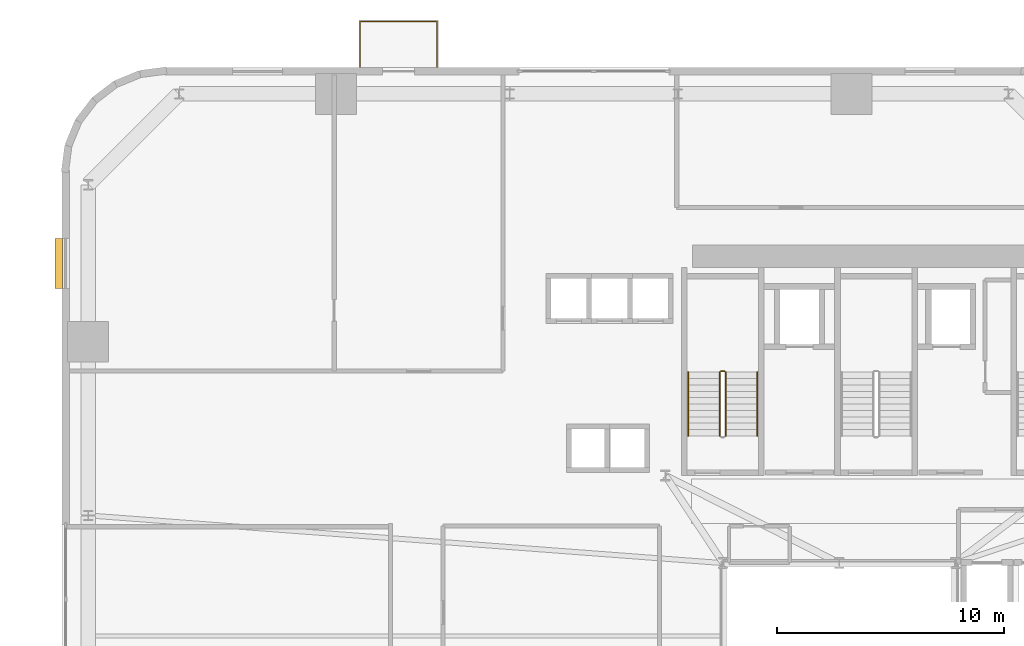
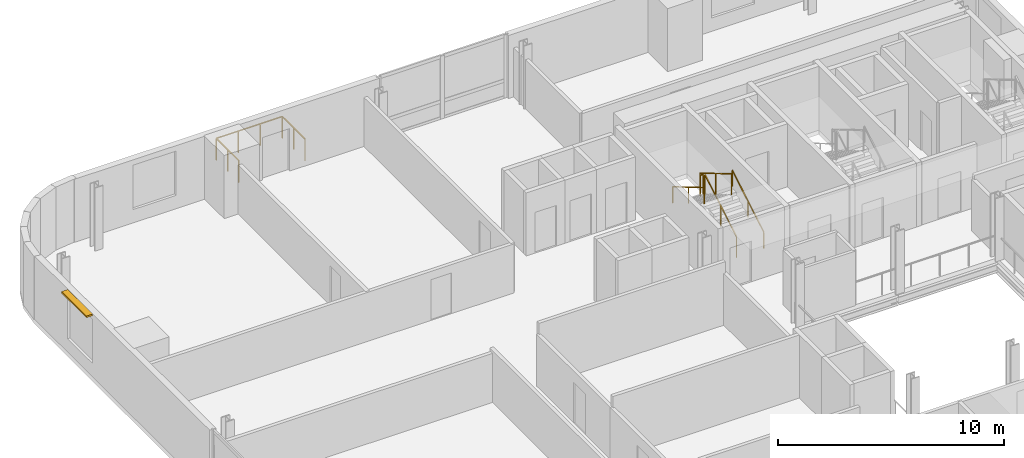
# One storey, part 12 of 13: 6 railings, 1 shading device.
"""IFC4 building model written with IfcOpenShell, lengths in metres."""

from ifc_helpers import new_model, si_unit, direction, frame, origin, origin_2d, place, context, subcontext, project, spatial, rectangle, extrude, source, transform, mapped, material, layer, layer_set, type_object, element, save


model = new_model("IFC4")

# Units and contexts
model_context = context("Model", 3, precision=1e-05, world=origin(), true_north=direction((0.0, 1.0)))
body_context = subcontext(model_context, "Body", "Model", "MODEL_VIEW")
ifc_project = project(units=[si_unit("LENGTHUNIT", "METRE"), si_unit("AREAUNIT", "SQUARE_METRE"), si_unit("VOLUMEUNIT", "CUBIC_METRE"), si_unit("PLANEANGLEUNIT", "RADIAN"), si_unit("MASSUNIT", "GRAM", prefix="KILO")], contexts=[model_context])

# Site, building, storey
site_placement = place(None, origin())
site = spatial("IfcSite", under=ifc_project, at=site_placement, CompositionType="ELEMENT")
building_placement = place(site_placement, origin())
building = spatial("IfcBuilding", under=site, at=building_placement, Name="Vardaveli Station Tower", CompositionType="ELEMENT")
storey_placement = place(building_placement, frame((0.0, 0.0, 75.050048828125)))
storey = spatial("IfcBuildingStorey", under=building, at=storey_placement, Name="L19", CompositionType="ELEMENT", Elevation=75.050048828125)

# Railing
ifc_material_1 = material(Name="Laminated glass and stainless steel balustrade", Category="steel")
railing_type_1 = type_object("IfcRailingType", Name="RL-BAL-1200", PredefinedType="BALUSTRADE", material=ifc_material_1)
shared_shape_1 = source(origin(), body_context, "Body", "SweptSolid", [
    extrude(rectangle(XDim=0.048095703125, YDim=0.048095703125, at=origin_2d()), frame((0.0, 0.0, 1.17578125), z_axis=(0.0, 1.0, 0.0), x_axis=(-1.0, 0.0, 0.0)), (0.0, 0.0, 1.0), 2.0),
    extrude(rectangle(XDim=0.048095703125, YDim=0.048095703125, at=origin_2d()), frame((0.0, 2.0, 1.17578125), z_axis=(1.0, 0.0, 0.0), x_axis=(0.0, 1.0, 0.0)), (0.0, 0.0, 1.0), 3.3798828125),
    extrude(rectangle(XDim=0.048095703125, YDim=0.048095703125, at=origin_2d()), frame((3.3798828125, 2.0, 1.17578125), z_axis=(0.0, -1.0, 0.0), x_axis=(1.0, 0.0, 0.0)), (0.0, 0.0, 1.0), 2.0),
    extrude(rectangle(XDim=0.0419921875, YDim=0.0419921875, at=origin_2d()), origin(), (0.0, 0.0, 1.0), 1.15185546875),
    extrude(rectangle(XDim=0.0419921875, YDim=0.0419921875, at=origin_2d()), frame((0.0, 1.0, 0.0)), (0.0, 0.0, 1.0), 1.15185546875),
    extrude(rectangle(XDim=0.0419921875, YDim=0.0419921875, at=origin_2d()), frame((0.0, 2.0, 0.0)), (0.0, 0.0, 1.0), 1.15185546875),
    extrude(rectangle(XDim=0.0419921875, YDim=0.0419921875, at=origin_2d()), frame((1.126708984375, 2.0, 0.0)), (0.0, 0.0, 1.0), 1.15185546875),
    extrude(rectangle(XDim=0.0419921875, YDim=0.0419921875, at=origin_2d()), frame((2.253173828125, 2.0, 0.0)), (0.0, 0.0, 1.0), 1.15185546875),
    extrude(rectangle(XDim=0.0419921875, YDim=0.0419921875, at=origin_2d()), frame((3.3798828125, 2.0, 0.0)), (0.0, 0.0, 1.0), 1.15185546875),
    extrude(rectangle(XDim=0.0419921875, YDim=0.0419921875, at=origin_2d()), frame((3.3798828125, 1.0, 0.0)), (0.0, 0.0, 1.0), 1.15185546875),
    extrude(rectangle(XDim=0.0419921875, YDim=0.0419921875, at=origin_2d()), frame((3.3798828125, 0.0, 0.0)), (0.0, 0.0, 1.0), 1.15185546875),
])
railing_1_placement = place(storey_placement, frame((15.220458984375, 48.639892578125, 0.0)))
element("IfcRailing", 1, at=railing_1_placement, inside=storey, type_object=railing_type_1, Name="RL-LOG-L19-02", PredefinedType="BALUSTRADE", context=body_context, shape_type="MappedRepresentation", body=[
    mapped(shared_shape_1, transform((0.0, 0.0, 0.0), scale=1.0)),
])

# Shading device
ifc_material_2 = material(Name="Anodised champagne aluminium sunshade", Category="aluminium")
ifc_layer = layer(ifc_material_2, 0.090087890625, Name="Anodised champagne aluminium sunshade")
ifc_layer_set = layer_set([ifc_layer], Name="Anodised champagne aluminium sunshade")
shading_device_type = type_object("IfcShadingDeviceType", Name="SHD-SUNSHADE", PredefinedType="USERDEFINED", material=ifc_layer_set)
shared_shape_2 = source(origin(), body_context, "Body", "SweptSolid", [
    extrude(rectangle(XDim=2.199951171875, YDim=0.320068359375, at=origin_2d()), origin(), (0.0, 0.0, 1.0), 0.090087890625),
])
shading_device_placement = place(storey_placement, frame((1.955078125, 39.9951171875, 3.2900390625), z_axis=(0.0, 0.0, 1.0), x_axis=(0.0, 1.0, 0.0)))
element("IfcShadingDevice", 2, at=shading_device_placement, inside=storey, type_object=shading_device_type, Name="SHD-SS-L19-W", ObjectType="SUNSHADE", PredefinedType="USERDEFINED", context=body_context, shape_type="MappedRepresentation", body=[
    mapped(shared_shape_2, transform((0.0, 0.0, 0.0), scale=1.0)),
])

# Railings
ifc_material_3 = material(Name="Brushed AISI 316 stainless steel", Category="steel")
railing_type_2 = type_object("IfcRailingType", Name="RL-GUARD-1150", PredefinedType="GUARDRAIL", material=ifc_material_3)
shared_shape_3 = source(origin(), body_context, "Body", "SweptSolid", [
    extrude(rectangle(XDim=0.048095703125, YDim=0.048095703125, at=origin_2d()), frame((0.0, 0.0, 1.1259765625), z_axis=(-1.0, 0.0, 0.0), x_axis=(0.0, -1.0, 0.0)), (0.0, 0.0, 1.0), 0.14990234375),
    extrude(rectangle(XDim=0.0419921875, YDim=0.0419921875, at=origin_2d()), origin(), (0.0, 0.0, 1.0), 1.101806640625),
    extrude(rectangle(XDim=0.0419921875, YDim=0.0419921875, at=origin_2d()), frame((-0.14990234375, 0.0, 0.0)), (0.0, 0.0, 1.0), 1.101806640625),
])
railing_2_placement = place(storey_placement, frame((31.25, 35.25, 1.824951171875)))
element("IfcRailing", 3, at=railing_2_placement, inside=storey, type_object=railing_type_2, Name="L19 ST-1 stair guard 2", PredefinedType="GUARDRAIL", context=body_context, shape_type="MappedRepresentation", body=[
    mapped(shared_shape_3, transform((0.0, 0.0, 0.0), scale=1.0)),
])
shared_shape_4 = source(origin(), body_context, "Body", "SweptSolid", [
    extrude(rectangle(XDim=0.048095703125, YDim=0.048095703125, at=origin_2d()), frame((0.0, 0.0, 1.1259765625), z_axis=(0.0, 0.860306154799, 0.50977771628), x_axis=(-1.0, 0.0, 0.0)), (0.0, 0.0, 1.0), 3.254638671875),
    extrude(rectangle(XDim=0.0419921875, YDim=0.0419921875, at=origin_2d()), origin(), (0.0, 0.0, 1.0), 1.101806640625),
    extrude(rectangle(XDim=0.0419921875, YDim=0.0419921875, at=origin_2d()), frame((0.0, 1.39990234375, 0.82958984375)), (0.0, 0.0, 1.0), 1.101806640625),
    extrude(rectangle(XDim=0.0419921875, YDim=0.0419921875, at=origin_2d()), frame((0.0, 2.800048828125, 1.6591796875)), (0.0, 0.0, 1.0), 1.101806640625),
])
railing_3_placement = place(storey_placement, frame((31.300048828125, 32.39990234375, 0.165771484375)))
element("IfcRailing", 4, at=railing_3_placement, inside=storey, type_object=railing_type_2, Name="L19 ST-1 stair guard 1", PredefinedType="GUARDRAIL", context=body_context, shape_type="MappedRepresentation", body=[
    mapped(shared_shape_4, transform((0.0, 0.0, 0.0), scale=1.0)),
])
railing_type_3 = type_object("IfcRailingType", Name="RL-HAND-900", PredefinedType="HANDRAIL", material=ifc_material_3)
shared_shape_5 = source(origin(), body_context, "Body", "SweptSolid", [
    extrude(rectangle(XDim=0.048095703125, YDim=0.048095703125, at=origin_2d()), frame((0.0, 0.0, 0.8759765625), z_axis=(0.0, 0.860306154799, 0.50977771628), x_axis=(-1.0, 0.0, 0.0)), (0.0, 0.0, 1.0), 3.254638671875),
    extrude(rectangle(XDim=0.0419921875, YDim=0.0419921875, at=origin_2d()), origin(), (0.0, 0.0, 1.0), 0.851806640625),
    extrude(rectangle(XDim=0.0419921875, YDim=0.0419921875, at=origin_2d()), frame((0.0, 1.39990234375, 0.82958984375)), (0.0, 0.0, 1.0), 0.851806640625),
    extrude(rectangle(XDim=0.0419921875, YDim=0.0419921875, at=origin_2d()), frame((0.0, 2.800048828125, 1.6591796875)), (0.0, 0.0, 1.0), 0.851806640625),
])
railing_4_placement = place(storey_placement, frame((32.699951171875, 32.39990234375, 0.165771484375)))
element("IfcRailing", 5, at=railing_4_placement, inside=storey, type_object=railing_type_3, Name="L19 ST-1 stair handrail 1", PredefinedType="HANDRAIL", context=body_context, shape_type="MappedRepresentation", body=[
    mapped(shared_shape_5, transform((0.0, 0.0, 0.0), scale=1.0)),
])
shared_shape_6 = source(origin(), body_context, "Body", "SweptSolid", [
    extrude(rectangle(XDim=0.048095703125, YDim=0.048095703125, at=origin_2d()), frame((0.0, 0.0, 1.1259765625), z_axis=(0.0, -0.860339051648, 0.50972219513), x_axis=(1.0, 0.0, 0.0)), (0.0, 0.0, 1.0), 3.254638671875),
    extrude(rectangle(XDim=0.0419921875, YDim=0.0419921875, at=origin_2d()), origin(), (0.0, 0.0, 1.0), 1.101806640625),
    extrude(rectangle(XDim=0.0419921875, YDim=0.0419921875, at=origin_2d()), frame((0.0, -1.39990234375, 0.82958984375)), (0.0, 0.0, 1.0), 1.101806640625),
    extrude(rectangle(XDim=0.0419921875, YDim=0.0419921875, at=origin_2d()), frame((0.0, -2.800048828125, 1.658935546875)), (0.0, 0.0, 1.0), 1.101806640625),
])
railing_5_placement = place(storey_placement, frame((31.050048828125, 35.199951171875, 1.990966796875)))
element("IfcRailing", 6, at=railing_5_placement, inside=storey, type_object=railing_type_2, Name="L19 ST-1 stair guard 3", PredefinedType="GUARDRAIL", context=body_context, shape_type="MappedRepresentation", body=[
    mapped(shared_shape_6, transform((0.0, 0.0, 0.0), scale=1.0)),
])
shared_shape_7 = source(origin(), body_context, "Body", "SweptSolid", [
    extrude(rectangle(XDim=0.048095703125, YDim=0.048095703125, at=origin_2d()), frame((0.0, 0.0, 0.8759765625), z_axis=(0.0, -0.860339051648, 0.50972219513), x_axis=(1.0, 0.0, 0.0)), (0.0, 0.0, 1.0), 3.254638671875),
    extrude(rectangle(XDim=0.0419921875, YDim=0.0419921875, at=origin_2d()), origin(), (0.0, 0.0, 1.0), 0.851806640625),
    extrude(rectangle(XDim=0.0419921875, YDim=0.0419921875, at=origin_2d()), frame((0.0, -1.39990234375, 0.82958984375)), (0.0, 0.0, 1.0), 0.851806640625),
    extrude(rectangle(XDim=0.0419921875, YDim=0.0419921875, at=origin_2d()), frame((0.0, -2.800048828125, 1.658935546875)), (0.0, 0.0, 1.0), 0.851806640625),
])
railing_6_placement = place(storey_placement, frame((29.64990234375, 35.199951171875, 1.990966796875)))
element("IfcRailing", 7, at=railing_6_placement, inside=storey, type_object=railing_type_3, Name="L19 ST-1 stair handrail 2", PredefinedType="HANDRAIL", context=body_context, shape_type="MappedRepresentation", body=[
    mapped(shared_shape_7, transform((0.0, 0.0, 0.0), scale=1.0)),
])

save(model, "model.ifc")
